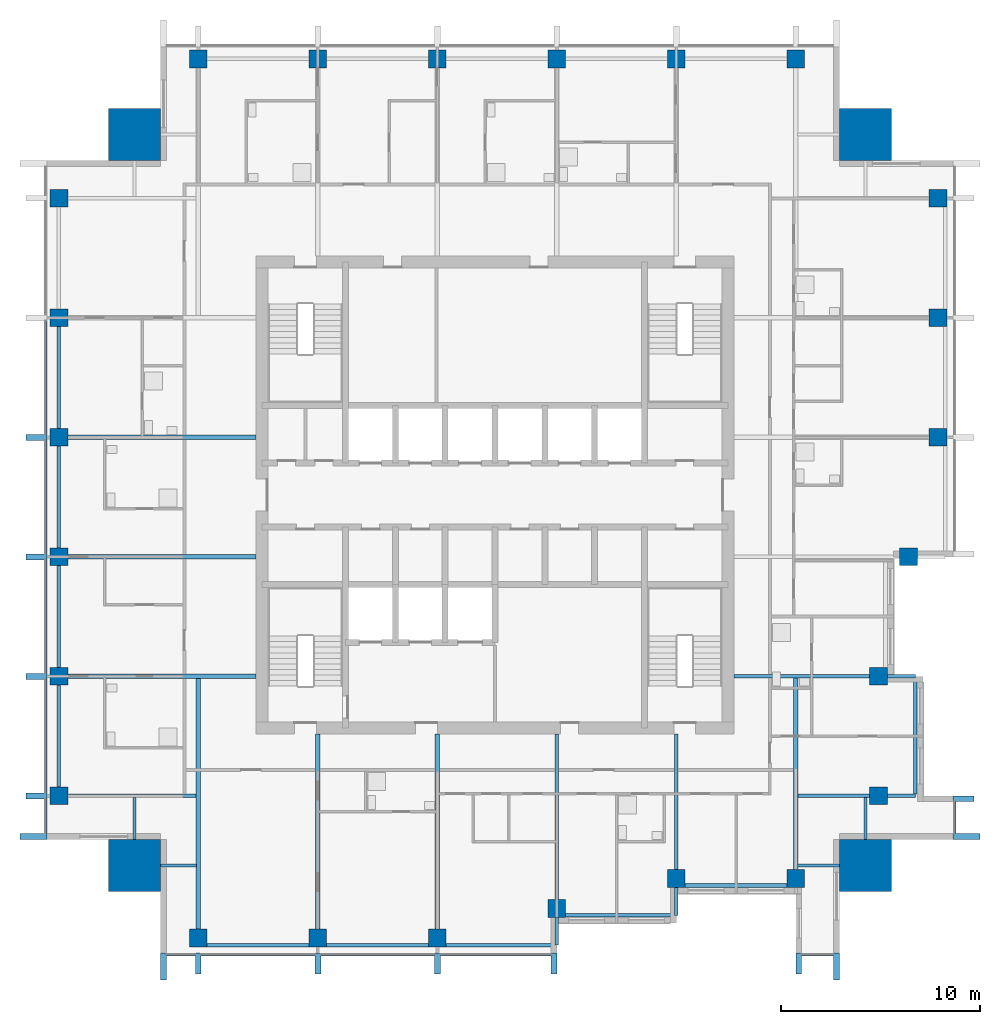
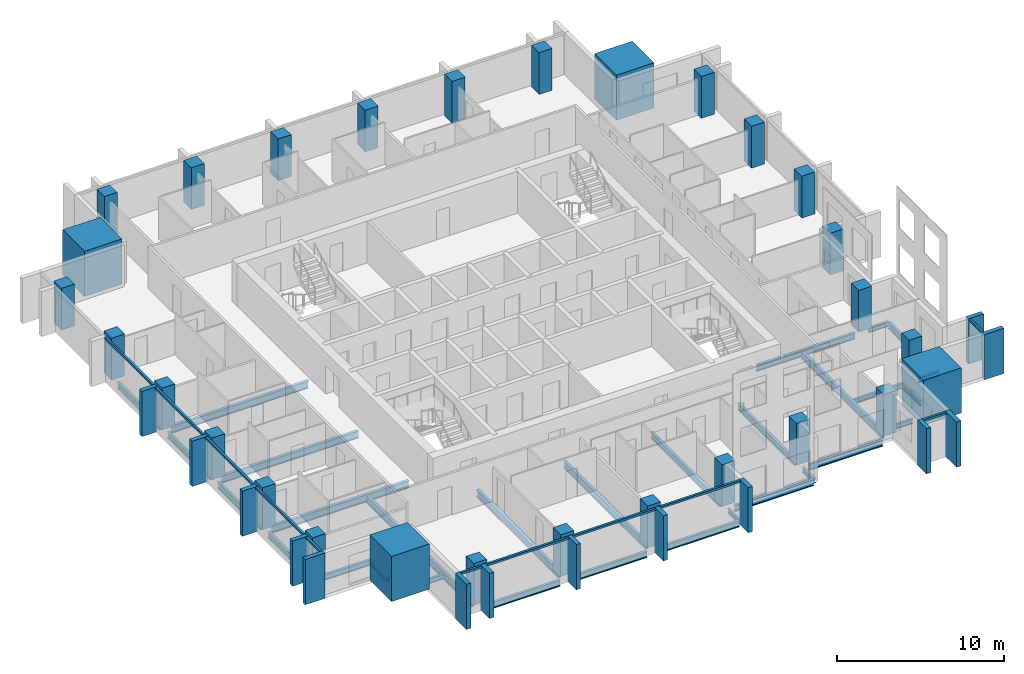
# One storey, part 1 of 11: 30 beams, 28 columns, 25 members, 4 elements without a shape of their own.
"""IFC4 building model written with IfcOpenShell, lengths in metres."""

from ifc_helpers import new_model, si_unit, direction, frame, origin, origin_2d, place, context, subcontext, project, spatial, rectangle, i_section, extrude, material, material_profile, profile_set, type_object, element, aggregate, save


model = new_model("IFC4")

# Units and contexts
model_context = context("Model", 3, precision=1e-05, world=origin(), true_north=direction((0.0, 1.0)))
body_context = subcontext(model_context, "Body", "Model", "MODEL_VIEW")
ifc_project = project(units=[si_unit("LENGTHUNIT", "METRE"), si_unit("AREAUNIT", "SQUARE_METRE"), si_unit("VOLUMEUNIT", "CUBIC_METRE"), si_unit("PLANEANGLEUNIT", "RADIAN"), si_unit("MASSUNIT", "GRAM", prefix="KILO")], contexts=[model_context])

# Site, building, storey
site_placement = place(None, origin())
site = spatial("IfcSite", under=ifc_project, at=site_placement, CompositionType="ELEMENT")
building_placement = place(site_placement, origin())
building = spatial("IfcBuilding", under=site, at=building_placement, Name="Amberfall Residences", CompositionType="ELEMENT")
storey_placement = place(building_placement, frame((0.0, 0.0, 196.89990234375)))
storey = spatial("IfcBuildingStorey", under=building, at=storey_placement, Name="L52", CompositionType="ELEMENT", Elevation=196.89990234375)

# Columns
ifc_material_1 = material(Name="Concrete C55", Category="concrete")
ifc_material_profile_1 = material_profile(ifc_material_1, rectangle(XDim=0.89990234375, YDim=0.89990234375, at=origin_2d()), Name="Column 900 x 900 C55")
ifc_profile_set_1 = profile_set([ifc_material_profile_1], Name="Concrete C55")
column_type_1 = type_object("IfcColumnType", Name="Column 900 x 900 C55", PredefinedType="COLUMN", material=ifc_profile_set_1)
for number, where, z_axis, x_axis, name in (
    (1, (59.60009765625, 23.25, 0.0), (0.0, 0.0, 1.0), (1.0, 0.0, 0.0), "Column C4 L52 S1"),
    (2, (65.60009765625, 23.25, 0.0), (0.0, 0.0, 1.0), (1.0, 0.0, 0.0), "Column C4 L52 S2"),
    (3, (71.60009765625, 23.25, 0.0), (0.0, 0.0, 1.0), (1.0, 0.0, 0.0), "Column C4 L52 S3"),
    (4, (77.60009765625, 24.75, 0.0), (0.0, 0.0, 1.0), (1.0, 0.0, 0.0), "Column C4 L52 S4"),
    (5, (83.60009765625, 26.25, 0.0), (0.0, 0.0, 1.0), (1.0, 0.0, 0.0), "Column C4 L52 S5"),
    (6, (89.60009765625, 26.25, 0.0), (0.0, 0.0, 1.0), (1.0, 0.0, 0.0), "Column C4 L52 S6"),
    (7, (93.75, 30.39990234375, 0.0), (0.0, 0.0, 1.0), (1.0, 0.0, 0.0), "Column C4 L52 E1"),
    (8, (93.75, 36.39990234375, 0.0), (0.0, 0.0, 1.0), (1.0, 0.0, 0.0), "Column C4 L52 E2"),
    (9, (95.25, 42.39990234375, 0.0), (0.0, 0.0, 1.0), (1.0, 0.0, 0.0), "Column C4 L52 E3"),
    (10, (96.75, 48.39990234375, 0.0), (0.0, 0.0, 1.0), (1.0, 0.0, 0.0), "Column C4 L52 E4"),
    (11, (96.75, 54.39990234375, 0.0), (0.0, 0.0, 1.0), (1.0, 0.0, 0.0), "Column C4 L52 E5"),
    (12, (96.75, 60.39990234375, 0.0), (0.0, 0.0, 1.0), (1.0, 0.0, 0.0), "Column C4 L52 E6"),
    (13, (59.60009765625, 67.39990234375, 0.0), (0.0, 0.0, 1.0), (1.0, 0.0, 0.0), "Column C4 L52 N1"),
    (14, (65.60009765625, 67.39990234375, 0.0), (0.0, 0.0, 1.0), (1.0, 0.0, 0.0), "Column C4 L52 N2"),
    (15, (71.60009765625, 67.39990234375, 0.0), (0.0, 0.0, 1.0), (1.0, 0.0, 0.0), "Column C4 L52 N3"),
    (16, (77.60009765625, 67.39990234375, 0.0), (0.0, 0.0, 1.0), (1.0, 0.0, 0.0), "Column C4 L52 N4"),
    (17, (83.60009765625, 67.39990234375, 0.0), (0.0, 0.0, 1.0), (1.0, 0.0, 0.0), "Column C4 L52 N5"),
    (18, (89.60009765625, 67.39990234375, 0.0), (0.0, 0.0, 1.0), (1.0, 0.0, 0.0), "Column C4 L52 N6"),
    (19, (52.60009765625, 30.39990234375, 0.0), (0.0, 0.0, 1.0), (1.0, 0.0, 0.0), "Column C4 L52 W1"),
    (20, (52.60009765625, 36.39990234375, 0.0), (0.0, 0.0, 1.0), (1.0, 0.0, 0.0), "Column C4 L52 W2"),
    (21, (52.60009765625, 42.39990234375, 0.0), (0.0, 0.0, 1.0), (1.0, 0.0, 0.0), "Column C4 L52 W3"),
    (22, (52.60009765625, 48.39990234375, 0.0), (0.0, 0.0, 1.0), (1.0, 0.0, 0.0), "Column C4 L52 W4"),
    (23, (52.60009765625, 54.39990234375, 0.0), (0.0, 0.0, 1.0), (1.0, 0.0, 0.0), "Column C4 L52 W5"),
    (24, (52.60009765625, 60.39990234375, 0.0), (0.0, 0.0, 1.0), (1.0, 0.0, 0.0), "Column C4 L52 W6"),
):
    element("IfcColumn", number, at=place(storey_placement, frame(where, z_axis=z_axis, x_axis=x_axis)), inside=storey, type_object=column_type_1, Name=name, PredefinedType="COLUMN", context=body_context, shape_type="SweptSolid", body=[
        extrude(rectangle(XDim=0.89990234375, YDim=0.89990234375, at=origin_2d()), origin(), (0.0, 0.0, 1.0), 3.050048828125),
    ])
ifc_material_profile_2 = material_profile(ifc_material_1, rectangle(XDim=2.60009765625, YDim=2.60009765625, at=origin_2d()), Name="Mega column 2600 x 2600 C55")
ifc_profile_set_2 = profile_set([ifc_material_profile_2], Name="Concrete C55")
column_type_2 = type_object("IfcColumnType", Name="Mega column 2600 x 2600 C55", PredefinedType="COLUMN", material=ifc_profile_set_2)
for number, where, z_axis, x_axis, name in (
    (25, (56.39990234375, 26.89990234375, 0.0), (0.0, 0.0, 1.0), (1.0, 0.0, 0.0), "Mega column MC8 L52 SW"),
    (26, (93.10009765625, 26.89990234375, 0.0), (0.0, 0.0, 1.0), (1.0, 0.0, 0.0), "Mega column MC8 L52 SE"),
    (27, (93.10009765625, 63.60009765625, 0.0), (0.0, 0.0, 1.0), (1.0, 0.0, 0.0), "Mega column MC8 L52 NE"),
    (28, (56.39990234375, 63.60009765625, 0.0), (0.0, 0.0, 1.0), (1.0, 0.0, 0.0), "Mega column MC8 L52 NW"),
):
    element("IfcColumn", number, at=place(storey_placement, frame(where, z_axis=z_axis, x_axis=x_axis)), inside=storey, type_object=column_type_2, Name=name, PredefinedType="COLUMN", context=body_context, shape_type="SweptSolid", body=[
        extrude(rectangle(XDim=2.60009765625, YDim=2.60009765625, at=origin_2d()), origin(), (0.0, 0.0, 1.0), 3.300048828125),
    ])

# Curtain wall, members
ifc_material_2 = material(Name="Bronze anodised aluminium and glass", Category="aluminium")
curtain_wall_type = type_object("IfcCurtainWallType", Name="Curtain wall CW1 tower unit", PredefinedType="USERDEFINED", material=ifc_material_2)
curtain_wall_1_placement = place(storey_placement, origin())
curtain_wall_1 = element("IfcCurtainWall", 29, at=curtain_wall_1_placement, inside=storey, type_object=curtain_wall_type, Name="Curtain wall L52 S S1", ObjectType="UNITISED CURTAIN WALL", PredefinedType="USERDEFINED")
ifc_material_3 = material(Name="Bronze anodised aluminium", Category="aluminium")
ifc_material_profile_3 = material_profile(ifc_material_3, rectangle(XDim=0.14990234375, YDim=0.14990234375, at=origin_2d()), Name="CW1 transom 150 x 150 bronze")
ifc_profile_set_3 = profile_set([ifc_material_profile_3], Name="Bronze anodised aluminium")
member_type_1 = type_object("IfcMemberType", Name="CW1 transom 150 x 150 bronze", PredefinedType="USERDEFINED", material=ifc_profile_set_3)
member_1_placement = place(storey_placement, frame((58.0, 22.425048828125, 2.97509765625), z_axis=(1.0, 0.0, 0.0), x_axis=(0.0, 1.0, 0.0)))
member_1 = element("IfcMember", 30, at=member_1_placement, type_object=member_type_1, Name="CW1 transom 1.1", ObjectType="TRANSOM", PredefinedType="USERDEFINED", context=body_context, shape_type="SweptSolid", body=[
    extrude(rectangle(XDim=0.14990234375, YDim=0.14990234375, at=origin_2d()), origin(), (0.0, 0.0, 1.0), 1.449951171875),
])
member_2_placement = place(storey_placement, frame((59.75, 22.425048828125, 2.97509765625), z_axis=(1.0, 0.0, 0.0), x_axis=(0.0, 1.0, 0.0)))
member_2 = element("IfcMember", 31, at=member_2_placement, type_object=member_type_1, Name="CW1 transom 2.1", ObjectType="TRANSOM", PredefinedType="USERDEFINED", context=body_context, shape_type="SweptSolid", body=[
    extrude(rectangle(XDim=0.14990234375, YDim=0.14990234375, at=origin_2d()), origin(), (0.0, 0.0, 1.0), 5.699951171875),
])
member_3_placement = place(storey_placement, frame((65.75, 22.425048828125, 2.97509765625), z_axis=(1.0, 0.0, 0.0), x_axis=(0.0, 1.0, 0.0)))
member_3 = element("IfcMember", 32, at=member_3_placement, type_object=member_type_1, Name="CW1 transom 3.1", ObjectType="TRANSOM", PredefinedType="USERDEFINED", context=body_context, shape_type="SweptSolid", body=[
    extrude(rectangle(XDim=0.14990234375, YDim=0.14990234375, at=origin_2d()), origin(), (0.0, 0.0, 1.0), 5.699951171875),
])
member_4_placement = place(storey_placement, frame((71.75, 22.425048828125, 2.97509765625), z_axis=(1.0, 0.0, 0.0), x_axis=(0.0, 1.0, 0.0)))
member_4 = element("IfcMember", 33, at=member_4_placement, type_object=member_type_1, Name="CW1 transom 4.1", ObjectType="TRANSOM", PredefinedType="USERDEFINED", context=body_context, shape_type="SweptSolid", body=[
    extrude(rectangle(XDim=0.14990234375, YDim=0.14990234375, at=origin_2d()), origin(), (0.0, 0.0, 1.0), 5.550048828125),
])

# Curtain wall, member
curtain_wall_2_placement = place(storey_placement, origin())
curtain_wall_2 = element("IfcCurtainWall", 34, at=curtain_wall_2_placement, inside=storey, type_object=curtain_wall_type, Name="Curtain wall L52 S S7", ObjectType="UNITISED CURTAIN WALL", PredefinedType="USERDEFINED")
member_5_placement = place(storey_placement, frame((89.89990234375, 22.425048828125, 2.97509765625), z_axis=(1.0, 0.0, 0.0), x_axis=(0.0, 1.0, 0.0)))
member_5 = element("IfcMember", 35, at=member_5_placement, type_object=member_type_1, Name="CW1 transom 1.1", ObjectType="TRANSOM", PredefinedType="USERDEFINED", context=body_context, shape_type="SweptSolid", body=[
    extrude(rectangle(XDim=0.14990234375, YDim=0.14990234375, at=origin_2d()), origin(), (0.0, 0.0, 1.0), 1.60009765625),
])

curtain_wall_3_placement = place(storey_placement, origin())
curtain_wall_3 = element("IfcCurtainWall", 36, at=curtain_wall_3_placement, inside=storey, type_object=curtain_wall_type, Name="Curtain wall L52 E E1", ObjectType="UNITISED CURTAIN WALL", PredefinedType="USERDEFINED")
member_6_placement = place(storey_placement, frame((97.574951171875, 28.5, 2.97509765625), z_axis=(0.0, 1.0, 0.0), x_axis=(-1.0, 0.0, 0.0)))
member_6 = element("IfcMember", 37, at=member_6_placement, type_object=member_type_1, Name="CW1 transom 1.1", ObjectType="TRANSOM", PredefinedType="USERDEFINED", context=body_context, shape_type="SweptSolid", body=[
    extrude(rectangle(XDim=0.14990234375, YDim=0.14990234375, at=origin_2d()), origin(), (0.0, 0.0, 1.0), 1.60009765625),
])

# Curtain wall, members
curtain_wall_4_placement = place(storey_placement, origin())
curtain_wall_4 = element("IfcCurtainWall", 38, at=curtain_wall_4_placement, inside=storey, type_object=curtain_wall_type, Name="Curtain wall L52 W W1", ObjectType="UNITISED CURTAIN WALL", PredefinedType="USERDEFINED")
member_7_placement = place(storey_placement, frame((51.925048828125, 54.25, 2.97509765625), z_axis=(0.0, -1.0, 0.0), x_axis=(1.0, 0.0, 0.0)))
member_7 = element("IfcMember", 39, at=member_7_placement, type_object=member_type_1, Name="CW1 transom 3.1", ObjectType="TRANSOM", PredefinedType="USERDEFINED", context=body_context, shape_type="SweptSolid", body=[
    extrude(rectangle(XDim=0.14990234375, YDim=0.14990234375, at=origin_2d()), origin(), (0.0, 0.0, 1.0), 5.699951171875),
])
member_8_placement = place(storey_placement, frame((51.925048828125, 48.25, 2.97509765625), z_axis=(0.0, -1.0, 0.0), x_axis=(1.0, 0.0, 0.0)))
member_8 = element("IfcMember", 40, at=member_8_placement, type_object=member_type_1, Name="CW1 transom 4.1", ObjectType="TRANSOM", PredefinedType="USERDEFINED", context=body_context, shape_type="SweptSolid", body=[
    extrude(rectangle(XDim=0.14990234375, YDim=0.14990234375, at=origin_2d()), origin(), (0.0, 0.0, 1.0), 5.699951171875),
])
member_9_placement = place(storey_placement, frame((51.925048828125, 42.25, 2.97509765625), z_axis=(0.0, -1.0, 0.0), x_axis=(1.0, 0.0, 0.0)))
member_9 = element("IfcMember", 41, at=member_9_placement, type_object=member_type_1, Name="CW1 transom 5.1", ObjectType="TRANSOM", PredefinedType="USERDEFINED", context=body_context, shape_type="SweptSolid", body=[
    extrude(rectangle(XDim=0.14990234375, YDim=0.14990234375, at=origin_2d()), origin(), (0.0, 0.0, 1.0), 5.699951171875),
])
member_10_placement = place(storey_placement, frame((51.925048828125, 36.25, 2.97509765625), z_axis=(0.0, -1.0, 0.0), x_axis=(1.0, 0.0, 0.0)))
member_10 = element("IfcMember", 42, at=member_10_placement, type_object=member_type_1, Name="CW1 transom 6.1", ObjectType="TRANSOM", PredefinedType="USERDEFINED", context=body_context, shape_type="SweptSolid", body=[
    extrude(rectangle(XDim=0.14990234375, YDim=0.14990234375, at=origin_2d()), origin(), (0.0, 0.0, 1.0), 5.699951171875),
])
member_11_placement = place(storey_placement, frame((51.925048828125, 30.25, 2.97509765625), z_axis=(0.0, -1.0, 0.0), x_axis=(1.0, 0.0, 0.0)))
member_11 = element("IfcMember", 43, at=member_11_placement, type_object=member_type_1, Name="CW1 transom 7.1", ObjectType="TRANSOM", PredefinedType="USERDEFINED", context=body_context, shape_type="SweptSolid", body=[
    extrude(rectangle(XDim=0.14990234375, YDim=0.14990234375, at=origin_2d()), origin(), (0.0, 0.0, 1.0), 1.75),
])

# Beams
ifc_material_4 = material(Name="Steel S355", Category="steel")
ifc_material_profile_4 = material_profile(ifc_material_4, i_section(OverallWidth=0.171142578125, OverallDepth=0.351318359375, WebThickness=0.007080078125, FlangeThickness=0.009765625, FilletRadius=0.01025390625, at=origin_2d()), Name="UB 356x171x45")
ifc_profile_set_4 = profile_set([ifc_material_profile_4], Name="Steel S355")
beam_type_1 = type_object("IfcBeamType", Name="Cantilever girder UB 356x171x45", PredefinedType="BEAM", material=ifc_profile_set_4)
for number, where, z_axis, x_axis, name in (
    (44, (77.60009765625, 24.300048828125, -0.425537109375), (0.0, -1.0, 0.0), (1.0, 0.0, 0.0), "Cantilever girder B8 L52 06"),
    (45, (83.60009765625, 25.800048828125, -0.425537109375), (0.0, -1.0, 0.0), (1.0, 0.0, 0.0), "Cantilever girder B8 L52 07"),
    (46, (94.199951171875, 30.39990234375, -0.425537109375), (1.0, 0.0, 0.0), (0.0, 1.0, 0.0), "Cantilever girder B8 L52 19"),
    (47, (94.199951171875, 36.39990234375, -0.425537109375), (1.0, 0.0, 0.0), (0.0, 1.0, 0.0), "Cantilever girder B8 L52 20"),
):
    element("IfcBeam", number, at=place(storey_placement, frame(where, z_axis=z_axis, x_axis=x_axis)), inside=storey, type_object=beam_type_1, Name=name, PredefinedType="BEAM", context=body_context, shape_type="SweptSolid", body=[
        extrude(i_section(OverallWidth=0.171142578125, OverallDepth=0.351318359375, WebThickness=0.007080078125, FlangeThickness=0.009765625, FilletRadius=0.01025390625, at=origin_2d()), origin(), (0.0, 0.0, 1.0), 1.400146484375),
    ])

# Member
ifc_material_profile_5 = material_profile(ifc_material_3, rectangle(XDim=1.35009765625, YDim=0.300048828125, at=origin_2d()), Name="Corner fin 300 x 1350 bronze")
ifc_profile_set_5 = profile_set([ifc_material_profile_5], Name="Bronze anodised aluminium")
member_type_2 = type_object("IfcMemberType", Name="Corner fin 300 x 1350 bronze", PredefinedType="MULLION", material=ifc_profile_set_5)
member_12_placement = place(storey_placement, frame((57.85009765625, 21.824951171875, -0.25), z_axis=(0.0, 0.0, 1.0), x_axis=(0.0, 1.0, 0.0)))
member_12 = element("IfcMember", 48, at=member_12_placement, type_object=member_type_2, Name="CW FIN 1", PredefinedType="MULLION", context=body_context, shape_type="SweptSolid", body=[
    extrude(rectangle(XDim=1.35009765625, YDim=0.300048828125, at=origin_2d()), origin(), (0.0, 0.0, 1.0), 3.300048828125),
])

member_13_placement = place(storey_placement, frame((91.64990234375, 21.824951171875, -0.25), z_axis=(0.0, 0.0, 1.0), x_axis=(0.0, 1.0, 0.0)))
member_13 = element("IfcMember", 49, at=member_13_placement, type_object=member_type_2, Name="CW FIN 2", PredefinedType="MULLION", context=body_context, shape_type="SweptSolid", body=[
    extrude(rectangle(XDim=1.35009765625, YDim=0.300048828125, at=origin_2d()), origin(), (0.0, 0.0, 1.0), 3.300048828125),
])

member_14_placement = place(storey_placement, frame((98.175048828125, 28.35009765625, -0.25), z_axis=(0.0, 0.0, 1.0), x_axis=(-1.0, 0.0, 0.0)))
member_14 = element("IfcMember", 50, at=member_14_placement, type_object=member_type_2, Name="CW FIN 1", PredefinedType="MULLION", context=body_context, shape_type="SweptSolid", body=[
    extrude(rectangle(XDim=1.35009765625, YDim=0.300048828125, at=origin_2d()), origin(), (0.0, 0.0, 1.0), 3.300048828125),
])

member_15_placement = place(storey_placement, frame((51.324951171875, 28.35009765625, -0.25), z_axis=(0.0, 0.0, 1.0), x_axis=(1.0, 0.0, 0.0)))
member_15 = element("IfcMember", 51, at=member_15_placement, type_object=member_type_2, Name="CW FIN 8", PredefinedType="MULLION", context=body_context, shape_type="SweptSolid", body=[
    extrude(rectangle(XDim=1.35009765625, YDim=0.300048828125, at=origin_2d()), origin(), (0.0, 0.0, 1.0), 3.300048828125),
])

# Beams
ifc_material_profile_6 = material_profile(ifc_material_4, i_section(OverallWidth=0.18994140625, OverallDepth=0.453369140625, WebThickness=0.008544921875, FlangeThickness=0.0126953125, FilletRadius=0.01025390625, at=origin_2d()), Name="UB 457x191x67")
ifc_profile_set_6 = profile_set([ifc_material_profile_6], Name="Steel S355")
beam_type_2 = type_object("IfcBeamType", Name="Edge beam UB 457x191x67", PredefinedType="SPANDREL", material=ifc_profile_set_6)
for number, where, z_axis, x_axis, name in (
    (52, (60.050048828125, 22.89990234375, -0.4765625), (1.0, 0.0, 0.0), (0.0, 1.0, 0.0), "Edge beam B1 L52 01"),
    (53, (66.050048828125, 22.89990234375, -0.4765625), (1.0, 0.0, 0.0), (0.0, 1.0, 0.0), "Edge beam B1 L52 02"),
):
    element("IfcBeam", number, at=place(storey_placement, frame(where, z_axis=z_axis, x_axis=x_axis)), inside=storey, type_object=beam_type_2, Name=name, PredefinedType="SPANDREL", context=body_context, shape_type="SweptSolid", body=[
        extrude(i_section(OverallWidth=0.18994140625, OverallDepth=0.453369140625, WebThickness=0.008544921875, FlangeThickness=0.0126953125, FilletRadius=0.01025390625, at=origin_2d()), origin(), (0.0, 0.0, 1.0), 5.099853515625),
    ])
for number, where, z_axis, x_axis, name in (
    (54, (72.050048828125, 22.89990234375, -0.4765625), (1.0, 0.0, 0.0), (0.0, 1.0, 0.0), "Edge beam B1 L52 03"),
    (55, (78.050048828125, 24.39990234375, -0.4765625), (1.0, 0.0, 0.0), (0.0, 1.0, 0.0), "Edge beam B1 L52 04"),
):
    element("IfcBeam", number, at=place(storey_placement, frame(where, z_axis=z_axis, x_axis=x_axis)), inside=storey, type_object=beam_type_2, Name=name, PredefinedType="SPANDREL", context=body_context, shape_type="SweptSolid", body=[
        extrude(i_section(OverallWidth=0.18994140625, OverallDepth=0.453369140625, WebThickness=0.008544921875, FlangeThickness=0.0126953125, FilletRadius=0.01025390625, at=origin_2d()), origin(), (0.0, 0.0, 1.0), 5.469970703125),
    ])
beam_1_placement = place(storey_placement, frame((84.050048828125, 25.89990234375, -0.4765625), z_axis=(1.0, 0.0, 0.0), x_axis=(0.0, 1.0, 0.0)))
element("IfcBeam", 56, at=beam_1_placement, inside=storey, type_object=beam_type_2, Name="Edge beam B1 L52 05", PredefinedType="SPANDREL", context=body_context, shape_type="SweptSolid", body=[
    extrude(i_section(OverallWidth=0.18994140625, OverallDepth=0.453369140625, WebThickness=0.008544921875, FlangeThickness=0.0126953125, FilletRadius=0.01025390625, at=origin_2d()), origin(), (0.0, 0.0, 1.0), 5.099853515625),
])
beam_2_placement = place(storey_placement, frame((95.60009765625, 30.47998046875, -0.4765625), z_axis=(0.0, 1.0, 0.0), x_axis=(-1.0, 0.0, 0.0)))
element("IfcBeam", 57, at=beam_2_placement, inside=storey, type_object=beam_type_2, Name="Edge beam B1 L52 14", PredefinedType="SPANDREL", context=body_context, shape_type="SweptSolid", body=[
    extrude(i_section(OverallWidth=0.18994140625, OverallDepth=0.453369140625, WebThickness=0.008544921875, FlangeThickness=0.0126953125, FilletRadius=0.01025390625, at=origin_2d()), origin(), (0.0, 0.0, 1.0), 5.840087890625),
])
for number, where, z_axis, x_axis, name in (
    (58, (52.60009765625, 30.85009765625, -0.4765625), (0.0, 1.0, 0.0), (-1.0, 0.0, 0.0), "Edge beam B1 L52 39"),
    (59, (52.60009765625, 36.85009765625, -0.4765625), (0.0, 1.0, 0.0), (-1.0, 0.0, 0.0), "Edge beam B1 L52 40"),
    (60, (52.60009765625, 42.85009765625, -0.4765625), (0.0, 1.0, 0.0), (-1.0, 0.0, 0.0), "Edge beam B1 L52 41"),
    (61, (52.60009765625, 48.85009765625, -0.4765625), (0.0, 1.0, 0.0), (-1.0, 0.0, 0.0), "Edge beam B1 L52 42"),
):
    element("IfcBeam", number, at=place(storey_placement, frame(where, z_axis=z_axis, x_axis=x_axis)), inside=storey, type_object=beam_type_2, Name=name, PredefinedType="SPANDREL", context=body_context, shape_type="SweptSolid", body=[
        extrude(i_section(OverallWidth=0.18994140625, OverallDepth=0.453369140625, WebThickness=0.008544921875, FlangeThickness=0.0126953125, FilletRadius=0.01025390625, at=origin_2d()), origin(), (0.0, 0.0, 1.0), 5.099853515625),
    ])

# Member
ifc_material_profile_7 = material_profile(ifc_material_3, rectangle(XDim=1.050048828125, YDim=0.300048828125, at=origin_2d()), Name="Fin 300 x 1050 bronze")
ifc_profile_set_7 = profile_set([ifc_material_profile_7], Name="Bronze anodised aluminium")
member_type_3 = type_object("IfcMemberType", Name="Fin 300 x 1050 bronze", PredefinedType="MULLION", material=ifc_profile_set_7)
member_16_placement = place(storey_placement, frame((59.60009765625, 21.97509765625, -0.25), z_axis=(0.0, 0.0, 1.0), x_axis=(0.0, 1.0, 0.0)))
member_16 = element("IfcMember", 62, at=member_16_placement, type_object=member_type_3, Name="CW FIN 2", PredefinedType="MULLION", context=body_context, shape_type="SweptSolid", body=[
    extrude(rectangle(XDim=1.050048828125, YDim=0.300048828125, at=origin_2d()), origin(), (0.0, 0.0, 1.0), 3.300048828125),
])

member_17_placement = place(storey_placement, frame((65.60009765625, 21.97509765625, -0.25), z_axis=(0.0, 0.0, 1.0), x_axis=(0.0, 1.0, 0.0)))
member_17 = element("IfcMember", 63, at=member_17_placement, type_object=member_type_3, Name="CW FIN 3", PredefinedType="MULLION", context=body_context, shape_type="SweptSolid", body=[
    extrude(rectangle(XDim=1.050048828125, YDim=0.300048828125, at=origin_2d()), origin(), (0.0, 0.0, 1.0), 3.300048828125),
])

member_18_placement = place(storey_placement, frame((71.60009765625, 21.97509765625, -0.25), z_axis=(0.0, 0.0, 1.0), x_axis=(0.0, 1.0, 0.0)))
member_18 = element("IfcMember", 64, at=member_18_placement, type_object=member_type_3, Name="CW FIN 4", PredefinedType="MULLION", context=body_context, shape_type="SweptSolid", body=[
    extrude(rectangle(XDim=1.050048828125, YDim=0.300048828125, at=origin_2d()), origin(), (0.0, 0.0, 1.0), 3.300048828125),
])

member_19_placement = place(storey_placement, frame((77.449951171875, 21.97509765625, -0.25), z_axis=(0.0, 0.0, 1.0), x_axis=(0.0, 1.0, 0.0)))
member_19 = element("IfcMember", 65, at=member_19_placement, type_object=member_type_3, Name="CW FIN 5", PredefinedType="MULLION", context=body_context, shape_type="SweptSolid", body=[
    extrude(rectangle(XDim=1.050048828125, YDim=0.300048828125, at=origin_2d()), origin(), (0.0, 0.0, 1.0), 3.300048828125),
])

aggregate(curtain_wall_1, [member_12, member_16, member_17, member_18, member_19, member_1, member_2, member_3, member_4])

member_20_placement = place(storey_placement, frame((89.75, 21.97509765625, -0.25), z_axis=(0.0, 0.0, 1.0), x_axis=(0.0, 1.0, 0.0)))
member_20 = element("IfcMember", 66, at=member_20_placement, type_object=member_type_3, Name="CW FIN 1", PredefinedType="MULLION", context=body_context, shape_type="SweptSolid", body=[
    extrude(rectangle(XDim=1.050048828125, YDim=0.300048828125, at=origin_2d()), origin(), (0.0, 0.0, 1.0), 3.300048828125),
])

aggregate(curtain_wall_2, [member_20, member_13, member_5])

member_21_placement = place(storey_placement, frame((98.02490234375, 30.25, -0.25), z_axis=(0.0, 0.0, 1.0), x_axis=(-1.0, 0.0, 0.0)))
member_21 = element("IfcMember", 67, at=member_21_placement, type_object=member_type_3, Name="CW FIN 2", PredefinedType="MULLION", context=body_context, shape_type="SweptSolid", body=[
    extrude(rectangle(XDim=1.050048828125, YDim=0.300048828125, at=origin_2d()), origin(), (0.0, 0.0, 1.0), 3.300048828125),
])

aggregate(curtain_wall_3, [member_14, member_21, member_6])

member_22_placement = place(storey_placement, frame((51.47509765625, 48.39990234375, -0.25), z_axis=(0.0, 0.0, 1.0), x_axis=(1.0, 0.0, 0.0)))
member_22 = element("IfcMember", 68, at=member_22_placement, type_object=member_type_3, Name="CW FIN 4", PredefinedType="MULLION", context=body_context, shape_type="SweptSolid", body=[
    extrude(rectangle(XDim=1.050048828125, YDim=0.300048828125, at=origin_2d()), origin(), (0.0, 0.0, 1.0), 3.300048828125),
])

member_23_placement = place(storey_placement, frame((51.47509765625, 42.39990234375, -0.25), z_axis=(0.0, 0.0, 1.0), x_axis=(1.0, 0.0, 0.0)))
member_23 = element("IfcMember", 69, at=member_23_placement, type_object=member_type_3, Name="CW FIN 5", PredefinedType="MULLION", context=body_context, shape_type="SweptSolid", body=[
    extrude(rectangle(XDim=1.050048828125, YDim=0.300048828125, at=origin_2d()), origin(), (0.0, 0.0, 1.0), 3.300048828125),
])

member_24_placement = place(storey_placement, frame((51.47509765625, 36.39990234375, -0.25), z_axis=(0.0, 0.0, 1.0), x_axis=(1.0, 0.0, 0.0)))
member_24 = element("IfcMember", 70, at=member_24_placement, type_object=member_type_3, Name="CW FIN 6", PredefinedType="MULLION", context=body_context, shape_type="SweptSolid", body=[
    extrude(rectangle(XDim=1.050048828125, YDim=0.300048828125, at=origin_2d()), origin(), (0.0, 0.0, 1.0), 3.300048828125),
])

member_25_placement = place(storey_placement, frame((51.47509765625, 30.39990234375, -0.25), z_axis=(0.0, 0.0, 1.0), x_axis=(1.0, 0.0, 0.0)))
member_25 = element("IfcMember", 71, at=member_25_placement, type_object=member_type_3, Name="CW FIN 7", PredefinedType="MULLION", context=body_context, shape_type="SweptSolid", body=[
    extrude(rectangle(XDim=1.050048828125, YDim=0.300048828125, at=origin_2d()), origin(), (0.0, 0.0, 1.0), 3.300048828125),
])

aggregate(curtain_wall_4, [member_22, member_23, member_24, member_25, member_15, member_7, member_8, member_9, member_10, member_11])

# Beams
ifc_material_profile_8 = material_profile(ifc_material_4, i_section(OverallWidth=0.171142578125, OverallDepth=0.351318359375, WebThickness=0.007080078125, FlangeThickness=0.009765625, FilletRadius=0.01025390625, at=origin_2d()), Name="UB 356x171x45")
ifc_profile_set_8 = profile_set([ifc_material_profile_8], Name="Steel S355")
beam_type_3 = type_object("IfcBeamType", Name="Floor girder UB 356x171x45", PredefinedType="BEAM", material=ifc_profile_set_8)
beam_3_placement = place(storey_placement, frame((93.300048828125, 30.39990234375, -0.425537109375), z_axis=(-1.0, 0.0, 0.0), x_axis=(0.0, -1.0, 0.0)))
element("IfcBeam", 72, at=beam_3_placement, inside=storey, type_object=beam_type_3, Name="Floor girder B11 L52 22", PredefinedType="BEAM", context=body_context, shape_type="SweptSolid", body=[
    extrude(i_section(OverallWidth=0.171142578125, OverallDepth=0.351318359375, WebThickness=0.007080078125, FlangeThickness=0.009765625, FilletRadius=0.01025390625, at=origin_2d()), origin(), (0.0, 0.0, 1.0), 3.580078125),
])
ifc_material_profile_9 = material_profile(ifc_material_4, i_section(OverallWidth=0.177734375, OverallDepth=0.402587890625, WebThickness=0.0078125, FlangeThickness=0.010986328125, FilletRadius=0.01025390625, at=origin_2d()), Name="UB 406x178x54")
ifc_profile_set_9 = profile_set([ifc_material_profile_9], Name="Steel S355")
beam_type_4 = type_object("IfcBeamType", Name="Floor girder UB 406x178x54", PredefinedType="BEAM", material=ifc_profile_set_9)
beam_4_placement = place(storey_placement, frame((53.050048828125, 30.39990234375, -0.451171875), z_axis=(1.0, 0.0, 0.0), x_axis=(0.0, 1.0, 0.0)))
element("IfcBeam", 73, at=beam_4_placement, inside=storey, type_object=beam_type_4, Name="Floor girder B4 L52 44", PredefinedType="BEAM", context=body_context, shape_type="SweptSolid", body=[
    extrude(i_section(OverallWidth=0.177734375, OverallDepth=0.402587890625, WebThickness=0.0078125, FlangeThickness=0.010986328125, FilletRadius=0.01025390625, at=origin_2d()), origin(), (0.0, 0.0, 1.0), 6.429931640625),
])
ifc_material_profile_10 = material_profile(ifc_material_4, i_section(OverallWidth=0.19140625, OverallDepth=0.4599609375, WebThickness=0.010009765625, FlangeThickness=0.01611328125, FilletRadius=0.01025390625, at=origin_2d()), Name="UB 457x191x82")
ifc_profile_set_10 = profile_set([ifc_material_profile_10], Name="Steel S355")
beam_type_5 = type_object("IfcBeamType", Name="Floor girder UB 457x191x82", PredefinedType="BEAM", material=ifc_profile_set_10)
beam_5_placement = place(storey_placement, frame((77.60009765625, 25.199951171875, -0.47998046875), z_axis=(0.0, 1.0, 0.0), x_axis=(-1.0, 0.0, 0.0)))
element("IfcBeam", 74, at=beam_5_placement, inside=storey, type_object=beam_type_5, Name="Floor girder B10 L52 11", PredefinedType="BEAM", context=body_context, shape_type="SweptSolid", body=[
    extrude(i_section(OverallWidth=0.19140625, OverallDepth=0.4599609375, WebThickness=0.010009765625, FlangeThickness=0.01611328125, FilletRadius=0.01025390625, at=origin_2d()), origin(), (0.0, 0.0, 1.0), 8.300048828125),
])
for number, where, z_axis, x_axis, name in (
    (75, (83.60009765625, 26.699951171875, -0.47998046875), (0.0, 1.0, 0.0), (-1.0, 0.0, 0.0), "Floor girder B10 L52 12"),
    (76, (93.300048828125, 36.39990234375, -0.47998046875), (-1.0, 0.0, 0.0), (0.0, -1.0, 0.0), "Floor girder B10 L52 23"),
):
    element("IfcBeam", number, at=place(storey_placement, frame(where, z_axis=z_axis, x_axis=x_axis)), inside=storey, type_object=beam_type_5, Name=name, PredefinedType="BEAM", context=body_context, shape_type="SweptSolid", body=[
        extrude(i_section(OverallWidth=0.19140625, OverallDepth=0.4599609375, WebThickness=0.010009765625, FlangeThickness=0.01611328125, FilletRadius=0.01025390625, at=origin_2d()), origin(), (0.0, 0.0, 1.0), 6.800048828125),
    ])
ifc_material_profile_11 = material_profile(ifc_material_4, i_section(OverallWidth=0.210693359375, OverallDepth=0.53955078125, WebThickness=0.01171875, FlangeThickness=0.018798828125, FilletRadius=0.0126953125, at=origin_2d()), Name="UB 533x210x109")
ifc_profile_set_11 = profile_set([ifc_material_profile_11], Name="Steel S355")
beam_type_6 = type_object("IfcBeamType", Name="Floor girder UB 533x210x109", PredefinedType="BEAM", material=ifc_profile_set_11)
beam_6_placement = place(storey_placement, frame((59.60009765625, 23.699951171875, -0.51953125), z_axis=(0.0, 1.0, 0.0), x_axis=(-1.0, 0.0, 0.0)))
element("IfcBeam", 77, at=beam_6_placement, inside=storey, type_object=beam_type_6, Name="Floor girder B2 L52 08", PredefinedType="BEAM", context=body_context, shape_type="SweptSolid", body=[
    extrude(i_section(OverallWidth=0.210693359375, OverallDepth=0.53955078125, WebThickness=0.01171875, FlangeThickness=0.018798828125, FilletRadius=0.0126953125, at=origin_2d()), origin(), (0.0, 0.0, 1.0), 12.600341796875),
])
ifc_material_profile_12 = material_profile(ifc_material_4, i_section(OverallWidth=0.209228515625, OverallDepth=0.533203125, WebThickness=0.010009765625, FlangeThickness=0.015625, FilletRadius=0.0126953125, at=origin_2d()), Name="UB 533x210x92")
ifc_profile_set_12 = profile_set([ifc_material_profile_12], Name="Steel S355")
beam_type_7 = type_object("IfcBeamType", Name="Floor girder UB 533x210x92", PredefinedType="BEAM", material=ifc_profile_set_12)
for number, where, z_axis, x_axis, name in (
    (78, (65.60009765625, 23.699951171875, -0.516357421875), (0.0, 1.0, 0.0), (-1.0, 0.0, 0.0), "Floor girder B3 L52 09"),
    (79, (71.60009765625, 23.699951171875, -0.516357421875), (0.0, 1.0, 0.0), (-1.0, 0.0, 0.0), "Floor girder B3 L52 10"),
):
    element("IfcBeam", number, at=place(storey_placement, frame(where, z_axis=z_axis, x_axis=x_axis)), inside=storey, type_object=beam_type_7, Name=name, PredefinedType="BEAM", context=body_context, shape_type="SweptSolid", body=[
        extrude(i_section(OverallWidth=0.209228515625, OverallDepth=0.533203125, WebThickness=0.010009765625, FlangeThickness=0.015625, FilletRadius=0.0126953125, at=origin_2d()), origin(), (0.0, 0.0, 1.0), 9.800048828125),
    ])
beam_7_placement = place(storey_placement, frame((89.60009765625, 26.699951171875, -0.516357421875), z_axis=(0.0, 1.0, 0.0), x_axis=(-1.0, 0.0, 0.0)))
element("IfcBeam", 80, at=beam_7_placement, inside=storey, type_object=beam_type_7, Name="Floor girder B3 L52 13", PredefinedType="BEAM", context=body_context, shape_type="SweptSolid", body=[
    extrude(i_section(OverallWidth=0.209228515625, OverallDepth=0.533203125, WebThickness=0.010009765625, FlangeThickness=0.015625, FilletRadius=0.0126953125, at=origin_2d()), origin(), (0.0, 0.0, 1.0), 9.609375),
])
for number, where, z_axis, x_axis, name in (
    (81, (53.050048828125, 36.39990234375, -0.516357421875), (1.0, 0.0, 0.0), (0.0, 1.0, 0.0), "Floor girder B3 L52 45"),
    (82, (53.050048828125, 42.39990234375, -0.516357421875), (1.0, 0.0, 0.0), (0.0, 1.0, 0.0), "Floor girder B3 L52 46"),
    (83, (53.050048828125, 48.39990234375, -0.516357421875), (1.0, 0.0, 0.0), (0.0, 1.0, 0.0), "Floor girder B3 L52 47"),
):
    element("IfcBeam", number, at=place(storey_placement, frame(where, z_axis=z_axis, x_axis=x_axis)), inside=storey, type_object=beam_type_7, Name=name, PredefinedType="BEAM", context=body_context, shape_type="SweptSolid", body=[
        extrude(i_section(OverallWidth=0.209228515625, OverallDepth=0.533203125, WebThickness=0.010009765625, FlangeThickness=0.015625, FilletRadius=0.0126953125, at=origin_2d()), origin(), (0.0, 0.0, 1.0), 9.449951171875),
    ])
ifc_material_profile_13 = material_profile(ifc_material_4, i_section(OverallWidth=0.171142578125, OverallDepth=0.351318359375, WebThickness=0.007080078125, FlangeThickness=0.009765625, FilletRadius=0.01025390625, at=origin_2d()), Name="UB 356x171x45")
ifc_profile_set_13 = profile_set([ifc_material_profile_13], Name="Steel S355")
beam_type_8 = type_object("IfcBeamType", Name="Link beam UB 356x171x45", PredefinedType="BEAM", material=ifc_profile_set_13)
beam_8_placement = place(storey_placement, frame((57.699951171875, 26.89990234375, -0.425537109375), z_axis=(1.0, 0.0, 0.0), x_axis=(0.0, 1.0, 0.0)))
element("IfcBeam", 84, at=beam_8_placement, inside=storey, type_object=beam_type_8, Name="Link beam B7 L52 50", PredefinedType="BEAM", context=body_context, shape_type="SweptSolid", body=[
    extrude(i_section(OverallWidth=0.171142578125, OverallDepth=0.351318359375, WebThickness=0.007080078125, FlangeThickness=0.009765625, FilletRadius=0.01025390625, at=origin_2d()), origin(), (0.0, 0.0, 1.0), 1.8046875),
])
beam_9_placement = place(storey_placement, frame((56.39990234375, 28.199951171875, -0.425537109375), z_axis=(0.0, 1.0, 0.0), x_axis=(-1.0, 0.0, 0.0)))
element("IfcBeam", 85, at=beam_9_placement, inside=storey, type_object=beam_type_8, Name="Link beam B7 L52 51", PredefinedType="BEAM", context=body_context, shape_type="SweptSolid", body=[
    extrude(i_section(OverallWidth=0.171142578125, OverallDepth=0.351318359375, WebThickness=0.007080078125, FlangeThickness=0.009765625, FilletRadius=0.01025390625, at=origin_2d()), origin(), (0.0, 0.0, 1.0), 2.121337890625),
])
beam_10_placement = place(storey_placement, frame((91.800048828125, 26.89990234375, -0.425537109375), z_axis=(-1.0, 0.0, 0.0), x_axis=(0.0, -1.0, 0.0)))
element("IfcBeam", 86, at=beam_10_placement, inside=storey, type_object=beam_type_8, Name="Link beam B7 L52 52", PredefinedType="BEAM", context=body_context, shape_type="SweptSolid", body=[
    extrude(i_section(OverallWidth=0.171142578125, OverallDepth=0.351318359375, WebThickness=0.007080078125, FlangeThickness=0.009765625, FilletRadius=0.01025390625, at=origin_2d()), origin(), (0.0, 0.0, 1.0), 2.10546875),
])
beam_11_placement = place(storey_placement, frame((93.10009765625, 28.199951171875, -0.425537109375), z_axis=(0.0, 1.0, 0.0), x_axis=(-1.0, 0.0, 0.0)))
element("IfcBeam", 87, at=beam_11_placement, inside=storey, type_object=beam_type_8, Name="Link beam B7 L52 53", PredefinedType="BEAM", context=body_context, shape_type="SweptSolid", body=[
    extrude(i_section(OverallWidth=0.171142578125, OverallDepth=0.351318359375, WebThickness=0.007080078125, FlangeThickness=0.009765625, FilletRadius=0.01025390625, at=origin_2d()), origin(), (0.0, 0.0, 1.0), 2.12451171875),
])

save(model, "model.ifc")
